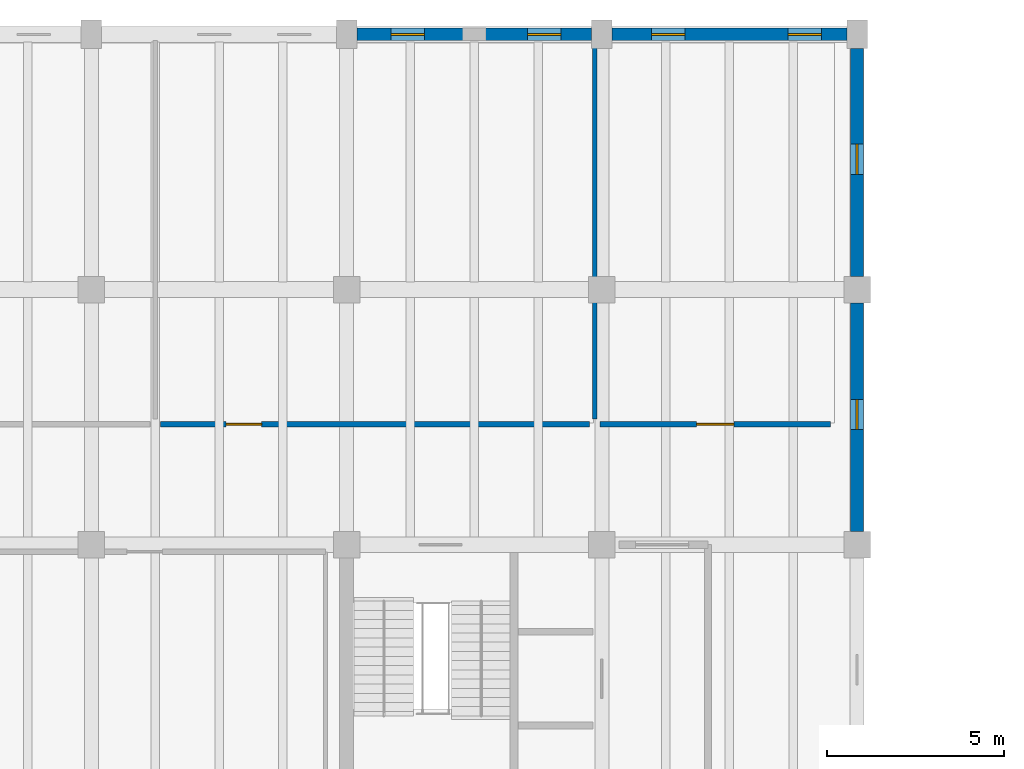
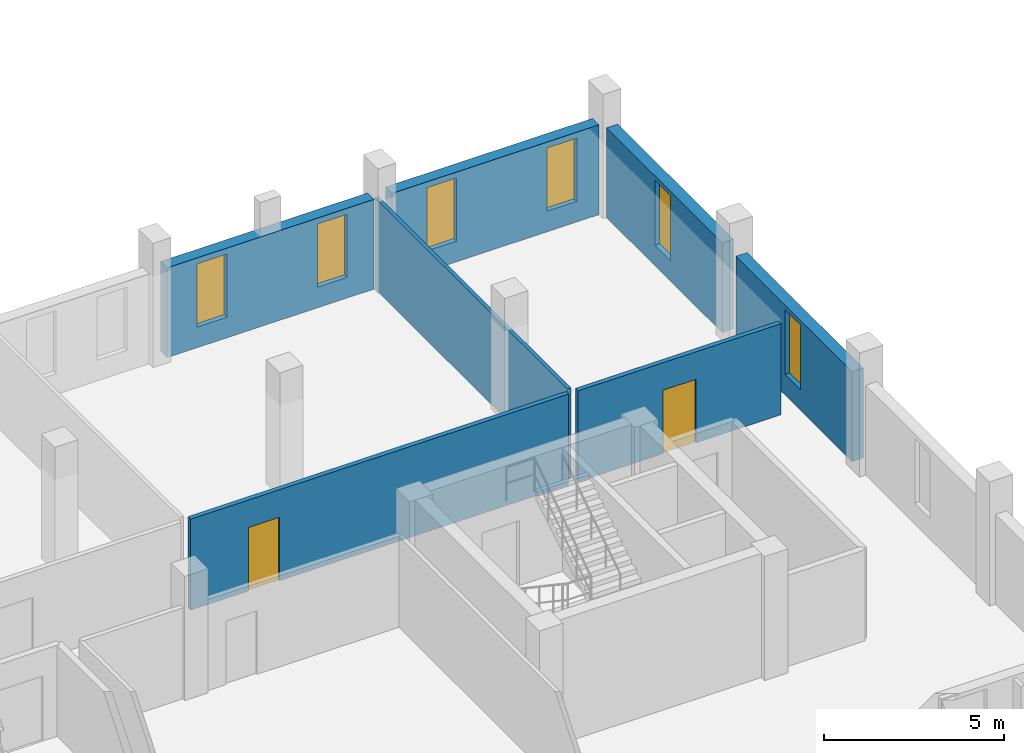
# One storey, part 55 of 63: 7 walls, 6 windows, 2 doors, 8 openings.
"""IFC4 building model written with IfcOpenShell, lengths in metres."""

from ifc_helpers import new_model, si_unit, direction, frame, frame_2d, origin, place, context, subcontext, project, spatial, rectangle, extrude, material, layer, layer_set, type_object, element, fill, save


model = new_model("IFC4")

# Units and contexts
model_context = context("Model", 3, precision=1e-05, world=origin(), true_north=direction((0.0, 1.0)))
body_context = subcontext(model_context, "Body", "Model", "MODEL_VIEW")
ifc_project = project(units=[si_unit("LENGTHUNIT", "METRE"), si_unit("AREAUNIT", "SQUARE_METRE"), si_unit("VOLUMEUNIT", "CUBIC_METRE"), si_unit("PLANEANGLEUNIT", "RADIAN"), si_unit("MASSUNIT", "GRAM", prefix="KILO")], contexts=[model_context])

# Site, building, storey
site_placement = place(None, origin())
site = spatial("IfcSite", under=ifc_project, at=site_placement, CompositionType="ELEMENT")
building_placement = place(site_placement, origin())
building = spatial("IfcBuilding", under=site, at=building_placement, Name="Qiaolan Assembly House", CompositionType="ELEMENT")
storey_placement = place(building_placement, frame((0.0, 0.0, 14.39990234375)))
storey = spatial("IfcBuildingStorey", under=building, at=storey_placement, Name="L03", CompositionType="ELEMENT", Elevation=14.39990234375)

# Wall, openings, windows
ifc_material_1 = material(Name="Honed pale limestone", Category="masonry")
ifc_layer_1 = layer(ifc_material_1, 0.360107421875)
ifc_layer_set_1 = layer_set([ifc_layer_1], Name="Honed pale limestone")
wall_type_1 = type_object("IfcWallType", Name="WAL-EXT-LIMESTONE-360", PredefinedType="SOLIDWALL", material=ifc_layer_set_1)
wall_1_placement = place(storey_placement, frame((93.31201171875, 115.199951171875, 0.0), z_axis=(0.0, 0.0, 1.0), x_axis=(-1.0, 0.0, 0.0)))
wall_1 = element("IfcWall", 1, at=wall_1_placement, inside=storey, type_object=wall_type_1, Name="EW-360 NW North street wall L03 bay 8", PredefinedType="SOLIDWALL", context=body_context, shape_type="SweptSolid", body=[
    extrude(rectangle(XDim=6.6240234375, YDim=0.360107421875, at=frame_2d((3.31201171875, 0.0))), origin(), (0.0, 0.0, 1.0), 3.0400390625),
])
opening_1_placement = place(wall_1_placement, frame((0.862060546875, 0.0, 0.699951171875)))
opening_1 = element("IfcOpeningElement", 2, at=opening_1_placement, cuts=wall_1, Name="Opening WN-082", PredefinedType="OPENING", context=body_context, shape_type="SweptSolid", body=[
    extrude(rectangle(XDim=0.949951171875, YDim=2.139892578125, at=frame_2d((0.47509765625, 1.06982421875))), frame((0.0, 0.18994140625, 0.0), z_axis=(0.0, -1.0, 0.0), x_axis=(1.0, 0.0, 0.0)), (0.0, 0.0, 1.0), 0.380126953125),
])
opening_2_placement = place(wall_1_placement, frame((4.7119140625, 0.0, 0.699951171875)))
opening_2 = element("IfcOpeningElement", 3, at=opening_2_placement, cuts=wall_1, Name="Opening WN-083", PredefinedType="OPENING", context=body_context, shape_type="SweptSolid", body=[
    extrude(rectangle(XDim=0.949951171875, YDim=2.139892578125, at=frame_2d((0.47509765625, 1.06982421875))), frame((0.0, 0.18994140625, 0.0), z_axis=(0.0, -1.0, 0.0), x_axis=(1.0, 0.0, 0.0)), (0.0, 0.0, 1.0), 0.380126953125),
])
ifc_material_2 = material(Name="Low-E double insulating glass", Category="glass")
window_type_1 = type_object("IfcWindowType", Name="WIN-PUNCH-950x2400", PartitioningType="SINGLE_PANEL", PredefinedType="WINDOW", material=ifc_material_2)
window_1_placement = place(opening_1_placement, origin())
window_1 = element("IfcWindow", 4, at=window_1_placement, inside=storey, type_object=window_type_1, Name="WN-T06 window WN-082", OverallHeight=2.139892578125, OverallWidth=0.949951171875, PartitioningType="SINGLE_PANEL", PredefinedType="WINDOW", context=body_context, shape_type="SweptSolid", body=[
    extrude(rectangle(XDim=0.949951171875, YDim=2.139892578125, at=frame_2d((0.47509765625, 1.06982421875))), frame((0.0, 0.030029296875, 0.0), z_axis=(0.0, -1.0, 0.0), x_axis=(1.0, 0.0, 0.0)), (0.0, 0.0, 1.0), 0.06005859375),
])
fill(opening_1, window_1)
window_2_placement = place(opening_2_placement, origin())
window_2 = element("IfcWindow", 5, at=window_2_placement, inside=storey, type_object=window_type_1, Name="WN-T06 window WN-083", OverallHeight=2.139892578125, OverallWidth=0.949951171875, PartitioningType="SINGLE_PANEL", PredefinedType="WINDOW", context=body_context, shape_type="SweptSolid", body=[
    extrude(rectangle(XDim=0.949951171875, YDim=2.139892578125, at=frame_2d((0.47509765625, 1.06982421875))), frame((0.0, 0.030029296875, 0.0), z_axis=(0.0, -1.0, 0.0), x_axis=(1.0, 0.0, 0.0)), (0.0, 0.0, 1.0), 0.06005859375),
])
fill(opening_2, window_2)

wall_2_placement = place(storey_placement, frame((100.511962890625, 115.199951171875, 0.0), z_axis=(0.0, 0.0, 1.0), x_axis=(-1.0, 0.0, 0.0)))
wall_2 = element("IfcWall", 6, at=wall_2_placement, inside=storey, type_object=wall_type_1, Name="EW-360 NW North street wall L03 bay 9", PredefinedType="SOLIDWALL", context=body_context, shape_type="SweptSolid", body=[
    extrude(rectangle(XDim=6.6240234375, YDim=0.360107421875, at=frame_2d((3.31201171875, 0.0))), origin(), (0.0, 0.0, 1.0), 3.0400390625),
])
opening_3_placement = place(wall_2_placement, frame((0.7119140625, 0.0, 0.699951171875)))
opening_3 = element("IfcOpeningElement", 7, at=opening_3_placement, cuts=wall_2, Name="Opening WN-084", PredefinedType="OPENING", context=body_context, shape_type="SweptSolid", body=[
    extrude(rectangle(XDim=0.949951171875, YDim=2.139892578125, at=frame_2d((0.47509765625, 1.06982421875))), frame((0.0, 0.18994140625, 0.0), z_axis=(0.0, -1.0, 0.0), x_axis=(1.0, 0.0, 0.0)), (0.0, 0.0, 1.0), 0.380126953125),
])
opening_4_placement = place(wall_2_placement, frame((4.56201171875, 0.0, 0.699951171875)))
opening_4 = element("IfcOpeningElement", 8, at=opening_4_placement, cuts=wall_2, Name="Opening WN-085", PredefinedType="OPENING", context=body_context, shape_type="SweptSolid", body=[
    extrude(rectangle(XDim=0.949951171875, YDim=2.139892578125, at=frame_2d((0.47509765625, 1.06982421875))), frame((0.0, 0.18994140625, 0.0), z_axis=(0.0, -1.0, 0.0), x_axis=(1.0, 0.0, 0.0)), (0.0, 0.0, 1.0), 0.380126953125),
])
window_3_placement = place(opening_3_placement, origin())
window_3 = element("IfcWindow", 9, at=window_3_placement, inside=storey, type_object=window_type_1, Name="WN-T06 window WN-084", OverallHeight=2.139892578125, OverallWidth=0.949951171875, PartitioningType="SINGLE_PANEL", PredefinedType="WINDOW", context=body_context, shape_type="SweptSolid", body=[
    extrude(rectangle(XDim=0.949951171875, YDim=2.139892578125, at=frame_2d((0.47509765625, 1.06982421875))), frame((0.0, 0.030029296875, 0.0), z_axis=(0.0, -1.0, 0.0), x_axis=(1.0, 0.0, 0.0)), (0.0, 0.0, 1.0), 0.06005859375),
])
fill(opening_3, window_3)
window_4_placement = place(opening_4_placement, origin())
window_4 = element("IfcWindow", 10, at=window_4_placement, inside=storey, type_object=window_type_1, Name="WN-T06 window WN-085", OverallHeight=2.139892578125, OverallWidth=0.949951171875, PartitioningType="SINGLE_PANEL", PredefinedType="WINDOW", context=body_context, shape_type="SweptSolid", body=[
    extrude(rectangle(XDim=0.949951171875, YDim=2.139892578125, at=frame_2d((0.47509765625, 1.06982421875))), frame((0.0, 0.030029296875, 0.0), z_axis=(0.0, -1.0, 0.0), x_axis=(1.0, 0.0, 0.0)), (0.0, 0.0, 1.0), 0.06005859375),
])
fill(opening_4, window_4)

# Wall, opening, window
wall_3_placement = place(storey_placement, frame((100.800048828125, 107.626953125, 0.0), z_axis=(0.0, 0.0, 1.0), x_axis=(0.0, -1.0, 0.0)))
wall_3 = element("IfcWall", 11, at=wall_3_placement, inside=storey, type_object=wall_type_1, Name="NW East wall L03-3", PredefinedType="SOLIDWALL", context=body_context, shape_type="SweptSolid", body=[
    extrude(rectangle(XDim=6.453857421875, YDim=0.360107421875, at=frame_2d((3.22705078125, 0.0))), origin(), (0.0, 0.0, 1.0), 3.0400390625),
])
opening_5_placement = place(wall_3_placement, frame((2.72705078125, 0.0, 0.699951171875)))
opening_5 = element("IfcOpeningElement", 12, at=opening_5_placement, cuts=wall_3, Name="Opening WN-109", PredefinedType="OPENING", context=body_context, shape_type="SweptSolid", body=[
    extrude(rectangle(XDim=0.85009765625, YDim=2.18994140625, at=frame_2d((0.425048828125, 1.094970703125))), frame((0.0, 0.18994140625, 0.0), z_axis=(0.0, -1.0, 0.0), x_axis=(1.0, 0.0, 0.0)), (0.0, 0.0, 1.0), 0.380126953125),
])
window_type_2 = type_object("IfcWindowType", Name="WIN-END-850x2200", PartitioningType="SINGLE_PANEL", PredefinedType="WINDOW", material=ifc_material_2)
window_5_placement = place(opening_5_placement, origin())
window_5 = element("IfcWindow", 13, at=window_5_placement, inside=storey, type_object=window_type_2, Name="NW East window WN-109", OverallHeight=2.18994140625, OverallWidth=0.85009765625, PartitioningType="SINGLE_PANEL", PredefinedType="WINDOW", context=body_context, shape_type="SweptSolid", body=[
    extrude(rectangle(XDim=0.85009765625, YDim=2.18994140625, at=frame_2d((0.425048828125, 1.094970703125))), frame((0.0, 0.030029296875, 0.0), z_axis=(0.0, -1.0, 0.0), x_axis=(1.0, 0.0, 0.0)), (0.0, 0.0, 1.0), 0.06005859375),
])
fill(opening_5, window_5)

wall_4_placement = place(storey_placement, frame((100.800048828125, 114.797119140625, 0.0), z_axis=(0.0, 0.0, 1.0), x_axis=(0.0, -1.0, 0.0)))
wall_4 = element("IfcWall", 14, at=wall_4_placement, inside=storey, type_object=wall_type_1, Name="NW East wall L03-4", PredefinedType="SOLIDWALL", context=body_context, shape_type="SweptSolid", body=[
    extrude(rectangle(XDim=6.424072265625, YDim=0.360107421875, at=frame_2d((3.2119140625, 0.0))), origin(), (0.0, 0.0, 1.0), 3.0400390625),
])
opening_6_placement = place(wall_4_placement, frame((2.697021484375, 0.0, 0.699951171875)))
opening_6 = element("IfcOpeningElement", 15, at=opening_6_placement, cuts=wall_4, Name="Opening WN-111", PredefinedType="OPENING", context=body_context, shape_type="SweptSolid", body=[
    extrude(rectangle(XDim=0.85009765625, YDim=2.18994140625, at=frame_2d((0.425048828125, 1.094970703125))), frame((0.0, 0.18994140625, 0.0), z_axis=(0.0, -1.0, 0.0), x_axis=(1.0, 0.0, 0.0)), (0.0, 0.0, 1.0), 0.380126953125),
])
window_6_placement = place(opening_6_placement, origin())
window_6 = element("IfcWindow", 16, at=window_6_placement, inside=storey, type_object=window_type_2, Name="NW East window WN-111", OverallHeight=2.18994140625, OverallWidth=0.85009765625, PartitioningType="SINGLE_PANEL", PredefinedType="WINDOW", context=body_context, shape_type="SweptSolid", body=[
    extrude(rectangle(XDim=0.85009765625, YDim=2.18994140625, at=frame_2d((0.425048828125, 1.094970703125))), frame((0.0, 0.030029296875, 0.0), z_axis=(0.0, -1.0, 0.0), x_axis=(1.0, 0.0, 0.0)), (0.0, 0.0, 1.0), 0.06005859375),
])
fill(opening_6, window_6)

# Wall
ifc_material_3 = material(Name="Gypsum plasterboard partition")
ifc_layer_2 = layer(ifc_material_3, 0.1201171875)
ifc_layer_set_2 = layer_set([ifc_layer_2], Name="Gypsum plasterboard partition")
wall_type_2 = type_object("IfcWallType", Name="WAL-PART-120", PredefinedType="PARTITIONING", material=ifc_layer_set_2)
wall_5_placement = place(storey_placement, frame((93.39990234375, 104.35009765625, 0.0), z_axis=(0.0, 0.0, 1.0), x_axis=(0.0, 1.0, 0.0)))
element("IfcWall", 17, at=wall_5_placement, inside=storey, type_object=wall_type_2, Name="Drawing & Map Reference Store demising wall", PredefinedType="PARTITIONING", context=body_context, shape_type="SweptSolid", body=[
    extrude(rectangle(XDim=10.669921875, YDim=0.1201171875, at=frame_2d((5.3349609375, 0.0))), origin(), (0.0, 0.0, 1.0), 3.080078125),
])

# Wall, opening, door
ifc_layer_3 = layer(ifc_material_3, 0.14990234375)
ifc_layer_set_3 = layer_set([ifc_layer_3], Name="Gypsum plasterboard partition")
wall_type_3 = type_object("IfcWallType", Name="WAL-PART-150", PredefinedType="PARTITIONING", material=ifc_layer_set_3)
wall_6_placement = place(storey_placement, frame((81.14990234375, 104.199951171875, 0.0), z_axis=(0.0, 0.0, 1.0), x_axis=(1.0, 0.0, 0.0)))
wall_6 = element("IfcWall", 18, at=wall_6_placement, inside=storey, type_object=wall_type_3, Name="Public Works & Utilities Engineering Office corridor wall", PredefinedType="PARTITIONING", context=body_context, shape_type="SweptSolid", body=[
    extrude(rectangle(XDim=12.10009765625, YDim=0.14990234375, at=frame_2d((6.050048828125, 0.0))), origin(), (0.0, 0.0, 1.0), 3.080078125),
])
opening_7_placement = place(wall_6_placement, frame((1.85009765625, 0.0, 0.0)))
opening_7 = element("IfcOpeningElement", 19, at=opening_7_placement, cuts=wall_6, Name="Opening ND-202", PredefinedType="OPENING", context=body_context, shape_type="SweptSolid", body=[
    extrude(rectangle(XDim=1.0, YDim=2.14990234375, at=frame_2d((0.5, 1.074951171875))), frame((0.0, 0.0849609375, 0.0), z_axis=(0.0, -1.0, 0.0), x_axis=(1.0, 0.0, 0.0)), (0.0, 0.0, 1.0), 0.169921875),
])
ifc_material_4 = material(Name="Acoustic oak panelling")
door_type_1 = type_object("IfcDoorType", Name="DOR-OFF-SGL-1000", OperationType="NOTDEFINED", PredefinedType="DOOR", material=ifc_material_4)
door_1_placement = place(opening_7_placement, origin())
door_1 = element("IfcDoor", 20, at=door_1_placement, inside=storey, type_object=door_type_1, Name="Public Works & Utilities Engineering Office door ND-202", OperationType="SINGLE_SWING_LEFT", OverallHeight=2.14990234375, OverallWidth=1.0, PredefinedType="DOOR", context=body_context, shape_type="SweptSolid", body=[
    extrude(rectangle(XDim=1.0, YDim=2.14990234375, at=frame_2d((0.5, 1.074951171875))), frame((0.0, 0.02490234375, 0.0), z_axis=(0.0, -1.0, 0.0), x_axis=(1.0, 0.0, 0.0)), (0.0, 0.0, 1.0), 0.050048828125),
])
fill(opening_7, door_1)

wall_7_placement = place(storey_placement, frame((93.550048828125, 104.199951171875, 0.0), z_axis=(0.0, 0.0, 1.0), x_axis=(1.0, 0.0, 0.0)))
wall_7 = element("IfcWall", 21, at=wall_7_placement, inside=storey, type_object=wall_type_3, Name="Drawing & Map Reference Store corridor wall", PredefinedType="PARTITIONING", context=body_context, shape_type="SweptSolid", body=[
    extrude(rectangle(XDim=6.5, YDim=0.14990234375, at=frame_2d((3.25, 0.0))), origin(), (0.0, 0.0, 1.0), 3.080078125),
])
opening_8_placement = place(wall_7_placement, frame((2.72509765625, 0.0, 0.0)))
opening_8 = element("IfcOpeningElement", 22, at=opening_8_placement, cuts=wall_7, Name="Opening ND-203", PredefinedType="OPENING", context=body_context, shape_type="SweptSolid", body=[
    extrude(rectangle(XDim=1.050048828125, YDim=2.14990234375, at=frame_2d((0.52490234375, 1.074951171875))), frame((0.0, 0.0849609375, 0.0), z_axis=(0.0, -1.0, 0.0), x_axis=(1.0, 0.0, 0.0)), (0.0, 0.0, 1.0), 0.169921875),
])
door_type_2 = type_object("IfcDoorType", Name="DOR-OFF-LRG-1050", OperationType="NOTDEFINED", PredefinedType="DOOR", material=ifc_material_4)
door_2_placement = place(opening_8_placement, origin())
door_2 = element("IfcDoor", 23, at=door_2_placement, inside=storey, type_object=door_type_2, Name="Drawing & Map Reference Store door ND-203", OperationType="SINGLE_SWING_RIGHT", OverallHeight=2.14990234375, OverallWidth=1.050048828125, PredefinedType="DOOR", context=body_context, shape_type="SweptSolid", body=[
    extrude(rectangle(XDim=1.050048828125, YDim=2.14990234375, at=frame_2d((0.52490234375, 1.074951171875))), frame((0.0, 0.02490234375, 0.0), z_axis=(0.0, -1.0, 0.0), x_axis=(1.0, 0.0, 0.0)), (0.0, 0.0, 1.0), 0.050048828125),
])
fill(opening_8, door_2)

save(model, "model.ifc")
